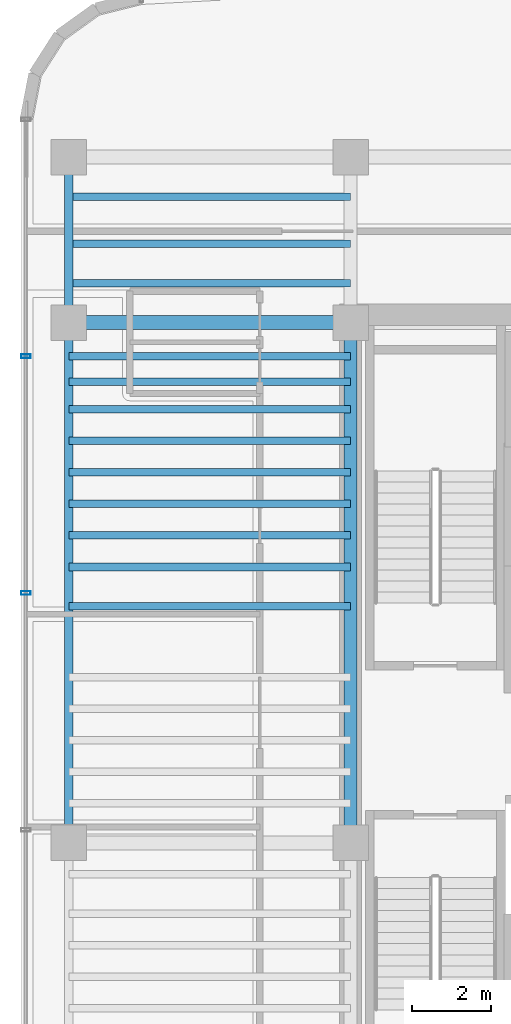
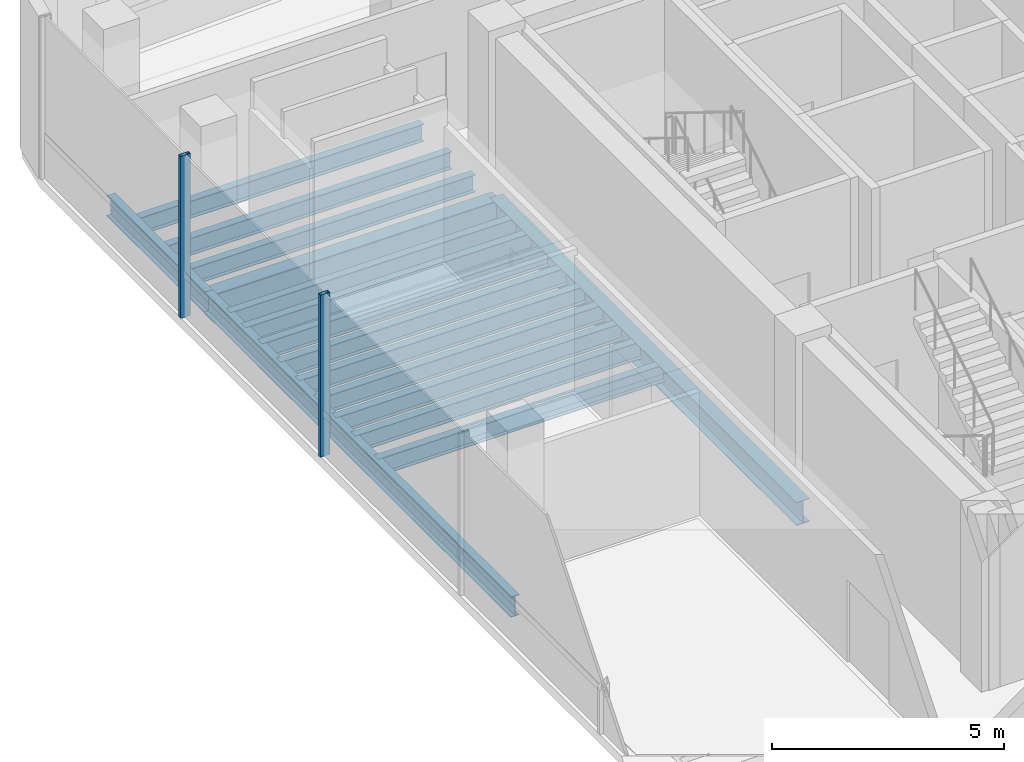
# One storey, part 6 of 17: 16 beams, 2 members, 1 element without a shape of its own.
"""IFC4 building model written with IfcOpenShell, lengths in metres."""

from ifc_helpers import new_model, si_unit, direction, frame, origin, origin_2d, place, context, subcontext, project, spatial, hollow_rectangle, i_section, extrude, source, transform, mapped, material, material_profile, profile_set, type_object, element, aggregate, save


model = new_model("IFC4")

# Units and contexts
model_context = context("Model", 3, precision=1e-05, world=origin(), true_north=direction((0.0, 1.0)))
body_context = subcontext(model_context, "Body", "Model", "MODEL_VIEW")
ifc_project = project(units=[si_unit("LENGTHUNIT", "METRE"), si_unit("AREAUNIT", "SQUARE_METRE"), si_unit("VOLUMEUNIT", "CUBIC_METRE"), si_unit("PLANEANGLEUNIT", "RADIAN"), si_unit("MASSUNIT", "GRAM", prefix="KILO")], contexts=[model_context])

# Site, building, storey
site_placement = place(None, origin())
site = spatial("IfcSite", under=ifc_project, at=site_placement, CompositionType="ELEMENT")
building_placement = place(site_placement, origin())
building = spatial("IfcBuilding", under=site, at=building_placement, Name="Valdorenza Pilgrim Sanctuary Tower", CompositionType="ELEMENT")
storey_placement = place(building_placement, frame((0.0, 0.0, 201.0)))
storey = spatial("IfcBuildingStorey", under=building, at=storey_placement, Name="L51", CompositionType="ELEMENT", Elevation=201.0)

# Beams
ifc_material_1 = material(Name="Steel ASTM A992 Grade 50", Category="steel")
ifc_material_profile_1 = material_profile(ifc_material_1, i_section(OverallWidth=0.323974609375, OverallDepth=0.611083984375, WebThickness=0.0126953125, FlangeThickness=0.01904296875, at=origin_2d()), Name="W24X104")
ifc_profile_set_1 = profile_set([ifc_material_profile_1], Name="Steel ASTM A992 Grade 50")
beam_type_1 = type_object("IfcBeamType", Name="STR-BM-GRD-W24B", PredefinedType="BEAM", material=ifc_profile_set_1)
shared_shape_1 = source(origin(), body_context, "Body", "SweptSolid", [
    extrude(i_section(OverallWidth=0.323974609375, OverallDepth=0.611083984375, WebThickness=0.0126953125, FlangeThickness=0.01904296875, at=origin_2d()), origin(), (0.0, 0.0, 1.0), 13.2001953125),
])
beam_1_placement = place(storey_placement, frame((-22.64990234375, -2.60009765625, -0.54541015625), z_axis=(0.0, 1.0, 0.0), x_axis=(-1.0, 0.0, 0.0)))
element("IfcBeam", 1, at=beam_1_placement, inside=storey, type_object=beam_type_1, Name="L51 Core Tie Girder CA-W-M0N1", PredefinedType="BEAM", context=body_context, shape_type="MappedRepresentation", body=[
    mapped(shared_shape_1, transform((0.0, 0.0, 0.0), x_axis=(1.0, 0.0, 0.0), y_axis=(0.0, 1.0, 0.0), z_axis=(0.0, 0.0, 1.0), scale=1.0)),
])
ifc_material_profile_2 = material_profile(ifc_material_1, i_section(OverallWidth=0.19091796875, OverallDepth=0.45703125, WebThickness=0.009033203125, FlangeThickness=0.014404296875, at=origin_2d()), Name="W18X50")
ifc_profile_set_2 = profile_set([ifc_material_profile_2], Name="Steel ASTM A992 Grade 50")
beam_type_2 = type_object("IfcBeamType", Name="STR-BM-JST-W18B", PredefinedType="JOIST", material=ifc_profile_set_2)
shared_shape_2 = source(origin(), body_context, "Body", "SweptSolid", [
    extrude(i_section(OverallWidth=0.19091796875, OverallDepth=0.45703125, WebThickness=0.009033203125, FlangeThickness=0.014404296875, at=origin_2d()), origin(), (0.0, 0.0, 1.0), 7.150146484375),
])
for number, where, z_axis, x_axis, name in (
    (2, (-29.800048828125, 3.39990234375, -0.468505859375), (1.0, 0.0, 0.0), (0.0, 1.0, 0.0), "L51 Composite Floor Joist JST-WA-15"),
    (3, (-29.800048828125, 4.39990234375, -0.468505859375), (1.0, 0.0, 0.0), (0.0, 1.0, 0.0), "L51 Composite Floor Joist JST-WA-16"),
    (4, (-29.800048828125, 5.199951171875, -0.468505859375), (1.0, 0.0, 0.0), (0.0, 1.0, 0.0), "L51 Composite Floor Joist JST-WA-17"),
    (5, (-29.800048828125, 6.0, -0.468505859375), (1.0, 0.0, 0.0), (0.0, 1.0, 0.0), "L51 Composite Floor Joist JST-WA-18"),
    (6, (-29.800048828125, 6.800048828125, -0.468505859375), (1.0, 0.0, 0.0), (0.0, 1.0, 0.0), "L51 Composite Floor Joist JST-WA-19"),
    (7, (-29.800048828125, 7.60009765625, -0.468505859375), (1.0, 0.0, 0.0), (0.0, 1.0, 0.0), "L51 Composite Floor Joist JST-WA-20"),
    (8, (-29.800048828125, 8.39990234375, -0.468505859375), (1.0, 0.0, 0.0), (0.0, 1.0, 0.0), "L51 Composite Floor Joist JST-WA-21"),
    (9, (-29.800048828125, 9.10009765625, -0.468505859375), (1.0, 0.0, 0.0), (0.0, 1.0, 0.0), "L51 Composite Floor Joist JST-WA-22"),
    (10, (-29.800048828125, 9.75, -0.468505859375), (1.0, 0.0, 0.0), (0.0, 1.0, 0.0), "L51 Composite Floor Joist JST-WA-23"),
    (11, (-29.800048828125, 11.60009765625, -0.468505859375), (1.0, 0.0, 0.0), (0.0, 1.0, 0.0), "L51 Composite Floor Joist JST-WA-24"),
    (12, (-29.800048828125, 12.60009765625, -0.468505859375), (1.0, 0.0, 0.0), (0.0, 1.0, 0.0), "L51 Composite Floor Joist JST-WA-25"),
    (13, (-29.800048828125, 13.800048828125, -0.468505859375), (1.0, 0.0, 0.0), (0.0, 1.0, 0.0), "L51 Composite Floor Joist JST-WA-26"),
):
    element("IfcBeam", number, at=place(storey_placement, frame(where, z_axis=z_axis, x_axis=x_axis)), inside=storey, type_object=beam_type_2, Name=name, PredefinedType="JOIST", context=body_context, shape_type="MappedRepresentation", body=[
        mapped(shared_shape_2, transform((0.0, 0.0, 0.0), x_axis=(1.0, 0.0, 0.0), y_axis=(0.0, 1.0, 0.0), z_axis=(0.0, 0.0, 1.0), scale=1.0)),
    ])
ifc_material_profile_3 = material_profile(ifc_material_1, i_section(OverallWidth=0.2109375, OverallDepth=0.5390625, WebThickness=0.01171875, FlangeThickness=0.018798828125, at=origin_2d()), Name="W21X73")
ifc_profile_set_3 = profile_set([ifc_material_profile_3], Name="Steel ASTM A992 Grade 50")
beam_type_3 = type_object("IfcBeamType", Name="STR-BM-SPN-W21B", PredefinedType="SPANDREL", material=ifc_profile_set_3)
shared_shape_3 = source(origin(), body_context, "Body", "SweptSolid", [
    extrude(i_section(OverallWidth=0.2109375, OverallDepth=0.5390625, WebThickness=0.01171875, FlangeThickness=0.018798828125, at=origin_2d()), origin(), (0.0, 0.0, 1.0), 13.2001953125),
])
beam_2_placement = place(storey_placement, frame((-29.800048828125, -2.60009765625, -0.509521484375), z_axis=(0.0, 1.0, 0.0), x_axis=(-1.0, 0.0, 0.0)))
element("IfcBeam", 14, at=beam_2_placement, inside=storey, type_object=beam_type_3, Name="L51 Spandrel Beam WA-W-M0N1", PredefinedType="SPANDREL", context=body_context, shape_type="MappedRepresentation", body=[
    mapped(shared_shape_3, transform((0.0, 0.0, 0.0), x_axis=(1.0, 0.0, 0.0), y_axis=(0.0, 1.0, 0.0), z_axis=(0.0, 0.0, 1.0), scale=1.0)),
])
shared_shape_4 = source(origin(), body_context, "Body", "SweptSolid", [
    extrude(i_section(OverallWidth=0.2109375, OverallDepth=0.5390625, WebThickness=0.01171875, FlangeThickness=0.018798828125, at=origin_2d()), origin(), (0.0, 0.0, 1.0), 4.199951171875),
])
beam_3_placement = place(storey_placement, frame((-29.800048828125, 10.60009765625, -0.509521484375), z_axis=(0.0, 1.0, 0.0), x_axis=(-1.0, 0.0, 0.0)))
element("IfcBeam", 15, at=beam_3_placement, inside=storey, type_object=beam_type_3, Name="L51 Spandrel Beam WA-W-N1N2", PredefinedType="SPANDREL", context=body_context, shape_type="MappedRepresentation", body=[
    mapped(shared_shape_4, transform((0.0, 0.0, 0.0), x_axis=(1.0, 0.0, 0.0), y_axis=(0.0, 1.0, 0.0), z_axis=(0.0, 0.0, 1.0), scale=1.0)),
])
ifc_material_profile_4 = material_profile(ifc_material_1, i_section(OverallWidth=0.35595703125, OverallDepth=0.700927734375, WebThickness=0.016845703125, FlangeThickness=0.02734375, at=origin_2d()), Name="W27X161")
ifc_profile_set_4 = profile_set([ifc_material_profile_4], Name="Steel ASTM A992 Grade 50")
beam_type_4 = type_object("IfcBeamType", Name="STR-BM-GRD-W27", PredefinedType="BEAM", material=ifc_profile_set_4)
shared_shape_5 = source(origin(), body_context, "Body", "SweptSolid", [
    extrude(i_section(OverallWidth=0.35595703125, OverallDepth=0.700927734375, WebThickness=0.016845703125, FlangeThickness=0.02734375, at=origin_2d()), origin(), (0.0, 0.0, 1.0), 7.150146484375),
])
beam_4_placement = place(storey_placement, frame((-29.800048828125, 10.60009765625, -0.590576171875), z_axis=(1.0, 0.0, 0.0), x_axis=(0.0, 1.0, 0.0)))
element("IfcBeam", 16, at=beam_4_placement, inside=storey, type_object=beam_type_4, Name="L51 Floor Girder WA-XW-N1", PredefinedType="BEAM", context=body_context, shape_type="MappedRepresentation", body=[
    mapped(shared_shape_5, transform((0.0, 0.0, 0.0), x_axis=(1.0, 0.0, 0.0), y_axis=(0.0, 1.0, 0.0), z_axis=(0.0, 0.0, 1.0), scale=1.0)),
])

# Curtain wall, members
ifc_material_2 = material(Name="Curtain-wall IGU glazing", Category="glass")
curtain_wall_type = type_object("IfcCurtainWallType", Name="CW-SYS-04", PredefinedType="NOTDEFINED", material=ifc_material_2)
curtain_wall_placement = place(storey_placement, origin())
curtain_wall = element("IfcCurtainWall", 17, at=curtain_wall_placement, inside=storey, type_object=curtain_wall_type, Name="L51 Curtain Wall CW-L51-1-1", PredefinedType="NOTDEFINED")
ifc_material_3 = material(Name="Anodised aluminium AW-6060", Category="aluminium")
ifc_material_profile_5 = material_profile(ifc_material_3, hollow_rectangle(XDim=0.090087890625, YDim=0.239990234375, WallThickness=0.0048828125, at=origin_2d()), Name="ALU-M 240x90x5")
ifc_profile_set_5 = profile_set([ifc_material_profile_5], Name="Anodised aluminium AW-6060")
member_type = type_object("IfcMemberType", Name="CW-MUL-04", PredefinedType="MULLION", material=ifc_profile_set_5)
shared_shape_6 = source(origin(), body_context, "Body", "SweptSolid", [
    extrude(hollow_rectangle(XDim=0.090087890625, YDim=0.239990234375, WallThickness=0.0048828125, at=origin_2d()), origin(), (0.0, 0.0, 1.0), 4.260009765625),
])
member_1_placement = place(storey_placement, frame((-30.889892578125, 3.73876953125, 0.0), z_axis=(0.0, 0.0, 1.0), x_axis=(0.0, 1.0, 0.0)))
member_1 = element("IfcMember", 18, at=member_1_placement, type_object=member_type, Name="CW-L51-1-1 Mullion 4", PredefinedType="MULLION", context=body_context, shape_type="MappedRepresentation", body=[
    mapped(shared_shape_6, transform((0.0, 0.0, 0.0), x_axis=(1.0, 0.0, 0.0), y_axis=(0.0, 1.0, 0.0), z_axis=(0.0, 0.0, 1.0), scale=1.0)),
])
member_2_placement = place(storey_placement, frame((-30.889892578125, 9.748291015625, 0.0), z_axis=(0.0, 0.0, 1.0), x_axis=(0.0, 1.0, 0.0)))
member_2 = element("IfcMember", 19, at=member_2_placement, type_object=member_type, Name="CW-L51-1-1 Mullion 5", PredefinedType="MULLION", context=body_context, shape_type="MappedRepresentation", body=[
    mapped(shared_shape_6, transform((0.0, 0.0, 0.0), x_axis=(1.0, 0.0, 0.0), y_axis=(0.0, 1.0, 0.0), z_axis=(0.0, 0.0, 1.0), scale=1.0)),
])
aggregate(curtain_wall, [member_1, member_2])

save(model, "model.ifc")
